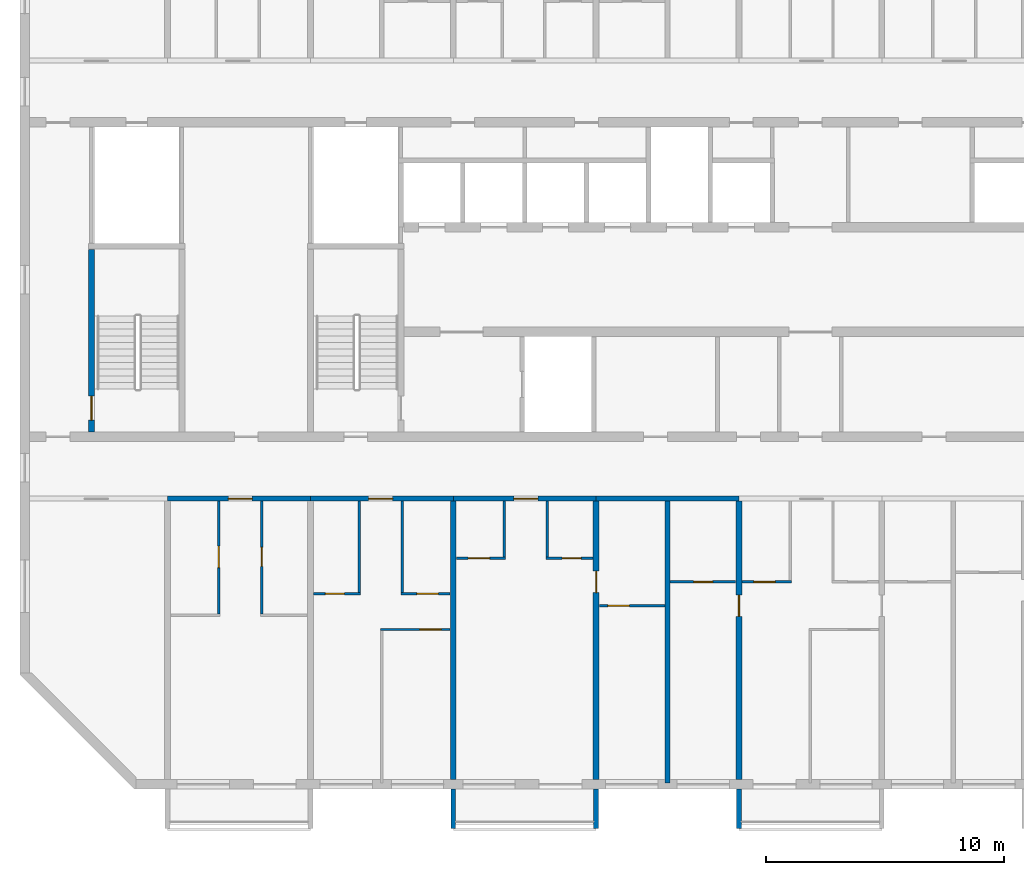
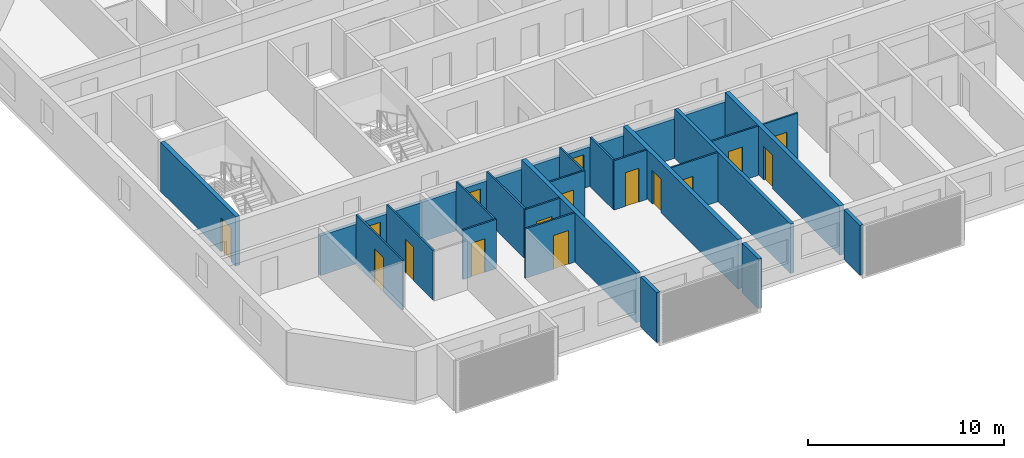
# One storey, part 2 of 26: 26 walls, 16 doors, 16 openings.
"""IFC4 building model written with IfcOpenShell, lengths in metres."""

from ifc_helpers import new_model, si_unit, direction, frame, frame_2d, origin, place, context, subcontext, project, spatial, polyline, rectangle, outline, extrude, source, transform, mapped, material, layer, layer_set, type_object, element, fill, save


model = new_model("IFC4")

# Units and contexts
model_context = context("Model", 3, precision=1e-05, world=origin(), true_north=direction((0.0, 1.0)))
body_context = subcontext(model_context, "Body", "Model", "MODEL_VIEW")
ifc_project = project(units=[si_unit("LENGTHUNIT", "METRE"), si_unit("AREAUNIT", "SQUARE_METRE"), si_unit("VOLUMEUNIT", "CUBIC_METRE"), si_unit("PLANEANGLEUNIT", "RADIAN"), si_unit("MASSUNIT", "GRAM", prefix="KILO")], contexts=[model_context])

# Site, building, storey
site_placement = place(None, origin())
site = spatial("IfcSite", under=ifc_project, at=site_placement, CompositionType="ELEMENT")
building_placement = place(site_placement, origin())
building = spatial("IfcBuilding", under=site, at=building_placement, Name="Poui Terraces", CompositionType="ELEMENT")
storey_placement = place(building_placement, frame((0.0, 0.0, 175.199951171875)))
storey = spatial("IfcBuildingStorey", under=building, at=storey_placement, Name="L48", CompositionType="ELEMENT", Elevation=175.199951171875)

# Wall, opening, door
ifc_material_1 = material(Name="Concrete 50 MPa", Category="concrete")
ifc_layer_1 = layer(ifc_material_1, 0.199951171875)
ifc_layer_set_1 = layer_set([ifc_layer_1], Name="Concrete 50 MPa")
wall_type_1 = type_object("IfcWallType", Name="CORRIDOR WALL 200 50MPa", PredefinedType="SHEAR", material=ifc_layer_set_1)
wall_1_placement = place(storey_placement, frame((24.0, 12.0, 0.0), z_axis=(0.0, 0.0, 1.0), x_axis=(1.0, 0.0, 0.0)))
wall_1 = element("IfcWall", 1, at=wall_1_placement, inside=storey, type_object=wall_type_1, Name="CORRIDOR WALL LINE B BAY 2", PredefinedType="SHEAR", context=body_context, shape_type="SweptSolid", body=[
    extrude(rectangle(XDim=6.0, YDim=0.199951171875, at=frame_2d((3.0, 0.0))), origin(), (0.0, 0.0, 1.0), 2.47998046875),
])
opening_1_placement = place(wall_1_placement, frame((2.550048828125, 0.0, 0.0)))
opening_1 = element("IfcOpeningElement", 2, at=opening_1_placement, cuts=wall_1, Name="Opening FD30S", PredefinedType="OPENING", context=body_context, shape_type="SweptSolid", body=[
    extrude(rectangle(XDim=1.0, YDim=2.10009765625, at=frame_2d((0.5, 1.050048828125))), frame((0.0, 0.10986328125, 0.0), z_axis=(0.0, -1.0, 0.0), x_axis=(1.0, 0.0, 0.0)), (0.0, 0.0, 1.0), 0.219970703125),
])
ifc_material_2 = material(Name="Steel fire door", Category="steel")
door_type_1 = type_object("IfcDoorType", Name="FLAT ENTRANCE DOOR 1000 X 2100", OperationType="NOTDEFINED", PredefinedType="DOOR", material=ifc_material_2)
door_1_placement = place(opening_1_placement, frame((1.0, 0.0, 0.0), z_axis=(0.0, 0.0, 1.0), x_axis=(-1.0, 0.0, 0.0)))
door_1 = element("IfcDoor", 3, at=door_1_placement, inside=storey, type_object=door_type_1, Name="FLAT ENTRANCE DOOR 064", OperationType="SINGLE_SWING_LEFT", OverallHeight=2.10009765625, OverallWidth=1.0, PredefinedType="DOOR", context=body_context, shape_type="SweptSolid", body=[
    extrude(rectangle(XDim=1.0, YDim=2.10009765625, at=frame_2d((0.5, 1.050048828125))), frame((0.0, 0.02490234375, 0.0), z_axis=(0.0, -1.0, 0.0), x_axis=(1.0, 0.0, 0.0)), (0.0, 0.0, 1.0), 0.050048828125),
])
fill(opening_1, door_1)

wall_2_placement = place(storey_placement, frame((30.0, 12.0, 0.0), z_axis=(0.0, 0.0, 1.0), x_axis=(1.0, 0.0, 0.0)))
wall_2 = element("IfcWall", 4, at=wall_2_placement, inside=storey, type_object=wall_type_1, Name="CORRIDOR WALL LINE B BAY 3", PredefinedType="SHEAR", context=body_context, shape_type="SweptSolid", body=[
    extrude(rectangle(XDim=6.0, YDim=0.199951171875, at=frame_2d((3.0, 0.0))), origin(), (0.0, 0.0, 1.0), 2.47998046875),
])
opening_2_placement = place(wall_2_placement, frame((2.449951171875, 0.0, 0.0)))
opening_2 = element("IfcOpeningElement", 5, at=opening_2_placement, cuts=wall_2, Name="Opening FD30S", PredefinedType="OPENING", context=body_context, shape_type="SweptSolid", body=[
    extrude(rectangle(XDim=1.0, YDim=2.10009765625, at=frame_2d((0.5, 1.050048828125))), frame((0.0, 0.10986328125, 0.0), z_axis=(0.0, -1.0, 0.0), x_axis=(1.0, 0.0, 0.0)), (0.0, 0.0, 1.0), 0.219970703125),
])
door_2_placement = place(opening_2_placement, frame((1.0, 0.0, 0.0), z_axis=(0.0, 0.0, 1.0), x_axis=(-1.0, 0.0, 0.0)))
door_2 = element("IfcDoor", 6, at=door_2_placement, inside=storey, type_object=door_type_1, Name="FLAT ENTRANCE DOOR 067", OperationType="SINGLE_SWING_RIGHT", OverallHeight=2.10009765625, OverallWidth=1.0, PredefinedType="DOOR", context=body_context, shape_type="SweptSolid", body=[
    extrude(rectangle(XDim=1.0, YDim=2.10009765625, at=frame_2d((0.5, 1.050048828125))), frame((0.0, 0.02490234375, 0.0), z_axis=(0.0, -1.0, 0.0), x_axis=(1.0, 0.0, 0.0)), (0.0, 0.0, 1.0), 0.050048828125),
])
fill(opening_2, door_2)

wall_3_placement = place(storey_placement, frame((36.0, 12.0, 0.0), z_axis=(0.0, 0.0, 1.0), x_axis=(1.0, 0.0, 0.0)))
wall_3 = element("IfcWall", 7, at=wall_3_placement, inside=storey, type_object=wall_type_1, Name="CORRIDOR WALL LINE B BAY 4", PredefinedType="SHEAR", context=body_context, shape_type="SweptSolid", body=[
    extrude(rectangle(XDim=6.0, YDim=0.199951171875, at=frame_2d((3.0, 0.0))), origin(), (0.0, 0.0, 1.0), 2.47998046875),
])
opening_3_placement = place(wall_3_placement, frame((2.550048828125, 0.0, 0.0)))
opening_3 = element("IfcOpeningElement", 8, at=opening_3_placement, cuts=wall_3, Name="Opening FD30S", PredefinedType="OPENING", context=body_context, shape_type="SweptSolid", body=[
    extrude(rectangle(XDim=1.0, YDim=2.10009765625, at=frame_2d((0.5, 1.050048828125))), frame((0.0, 0.10986328125, 0.0), z_axis=(0.0, -1.0, 0.0), x_axis=(1.0, 0.0, 0.0)), (0.0, 0.0, 1.0), 0.219970703125),
])
door_3_placement = place(opening_3_placement, frame((1.0, 0.0, 0.0), z_axis=(0.0, 0.0, 1.0), x_axis=(-1.0, 0.0, 0.0)))
door_3 = element("IfcDoor", 9, at=door_3_placement, inside=storey, type_object=door_type_1, Name="FLAT ENTRANCE DOOR 072", OperationType="SINGLE_SWING_LEFT", OverallHeight=2.10009765625, OverallWidth=1.0, PredefinedType="DOOR", context=body_context, shape_type="SweptSolid", body=[
    extrude(rectangle(XDim=1.0, YDim=2.10009765625, at=frame_2d((0.5, 1.050048828125))), frame((0.0, 0.02490234375, 0.0), z_axis=(0.0, -1.0, 0.0), x_axis=(1.0, 0.0, 0.0)), (0.0, 0.0, 1.0), 0.050048828125),
])
fill(opening_3, door_3)

# Walls
wall_4_placement = place(storey_placement, frame((42.0, 12.0, 0.0), z_axis=(0.0, 0.0, 1.0), x_axis=(1.0, 0.0, 0.0)))
element("IfcWall", 10, at=wall_4_placement, inside=storey, type_object=wall_type_1, Name="CORRIDOR WALL LINE B BAY 5", PredefinedType="SHEAR", context=body_context, shape_type="SweptSolid", body=[
    extrude(rectangle(XDim=6.0, YDim=0.199951171875, at=frame_2d((3.0, 0.0))), origin(), (0.0, 0.0, 1.0), 2.47998046875),
])
ifc_layer_2 = layer(ifc_material_1, 0.25)
ifc_layer_set_2 = layer_set([ifc_layer_2], Name="Concrete 50 MPa")
wall_type_2 = type_object("IfcWallType", Name="CROSS WALL 250 50MPa", PredefinedType="SHEAR", material=ifc_layer_set_2)
wall_5_placement = place(storey_placement, frame((36.0, 0.199951171875, 0.0), z_axis=(0.0, 0.0, 1.0), x_axis=(0.0, 1.0, 0.0)))
element("IfcWall", 11, at=wall_5_placement, inside=storey, type_object=wall_type_2, Name="CROSS WALL LINE 7 SOUTH", PredefinedType="SHEAR", context=body_context, shape_type="SweptSolid", body=[
    extrude(rectangle(XDim=11.699951171875, YDim=0.25, at=frame_2d((5.85009765625, 0.0))), origin(), (0.0, 0.0, 1.0), 3.080078125),
])

# Wall, opening, door
wall_6_placement = place(storey_placement, frame((42.0, 0.199951171875, 0.0), z_axis=(0.0, 0.0, 1.0), x_axis=(0.0, 1.0, 0.0)))
wall_6 = element("IfcWall", 12, at=wall_6_placement, inside=storey, type_object=wall_type_2, Name="CROSS WALL LINE 8 SOUTH", PredefinedType="SHEAR", context=body_context, shape_type="SweptSolid", body=[
    extrude(rectangle(XDim=11.699951171875, YDim=0.25, at=frame_2d((5.85009765625, 0.0))), origin(), (0.0, 0.0, 1.0), 3.080078125),
])
opening_4_placement = place(wall_6_placement, frame((7.85009765625, 0.0, 0.0)))
opening_4 = element("IfcOpeningElement", 13, at=opening_4_placement, cuts=wall_6, Name="Opening D90", PredefinedType="OPENING", context=body_context, shape_type="SweptSolid", body=[
    extrude(rectangle(XDim=0.89990234375, YDim=2.10009765625, at=frame_2d((0.449951171875, 1.050048828125))), frame((0.0, 0.135009765625, 0.0), z_axis=(0.0, -1.0, 0.0), x_axis=(1.0, 0.0, 0.0)), (0.0, 0.0, 1.0), 0.27001953125),
])
ifc_material_3 = material(Name="Solid core timber door", Category="wood")
door_type_2 = type_object("IfcDoorType", Name="INTERNAL DOOR 900 X 2100", OperationType="NOTDEFINED", PredefinedType="DOOR", material=ifc_material_3)
door_4_placement = place(opening_4_placement, origin())
door_4 = element("IfcDoor", 14, at=door_4_placement, inside=storey, type_object=door_type_2, Name="INTERNAL DOOR 074", OperationType="SINGLE_SWING_RIGHT", OverallHeight=2.10009765625, OverallWidth=0.89990234375, PredefinedType="DOOR", context=body_context, shape_type="SweptSolid", body=[
    extrude(rectangle(XDim=0.89990234375, YDim=2.10009765625, at=frame_2d((0.449951171875, 1.050048828125))), frame((0.0, 0.02490234375, 0.0), z_axis=(0.0, -1.0, 0.0), x_axis=(1.0, 0.0, 0.0)), (0.0, 0.0, 1.0), 0.050048828125),
])
fill(opening_4, door_4)

wall_7_placement = place(storey_placement, frame((48.0, 0.199951171875, 0.0), z_axis=(0.0, 0.0, 1.0), x_axis=(0.0, 1.0, 0.0)))
wall_7 = element("IfcWall", 15, at=wall_7_placement, inside=storey, type_object=wall_type_2, Name="CROSS WALL LINE 9 SOUTH", PredefinedType="SHEAR", context=body_context, shape_type="SweptSolid", body=[
    extrude(rectangle(XDim=11.699951171875, YDim=0.25, at=frame_2d((5.85009765625, 0.0))), origin(), (0.0, 0.0, 1.0), 3.080078125),
])
opening_5_placement = place(wall_7_placement, frame((6.85009765625, 0.0, 0.0)))
opening_5 = element("IfcOpeningElement", 16, at=opening_5_placement, cuts=wall_7, Name="Opening D90", PredefinedType="OPENING", context=body_context, shape_type="SweptSolid", body=[
    extrude(rectangle(XDim=0.89990234375, YDim=2.10009765625, at=frame_2d((0.449951171875, 1.050048828125))), frame((0.0, 0.135009765625, 0.0), z_axis=(0.0, -1.0, 0.0), x_axis=(1.0, 0.0, 0.0)), (0.0, 0.0, 1.0), 0.27001953125),
])
door_5_placement = place(opening_5_placement, origin())
door_5 = element("IfcDoor", 17, at=door_5_placement, inside=storey, type_object=door_type_2, Name="INTERNAL DOOR 077", OperationType="SINGLE_SWING_RIGHT", OverallHeight=2.10009765625, OverallWidth=0.89990234375, PredefinedType="DOOR", context=body_context, shape_type="SweptSolid", body=[
    extrude(rectangle(XDim=0.89990234375, YDim=2.10009765625, at=frame_2d((0.449951171875, 1.050048828125))), frame((0.0, 0.02490234375, 0.0), z_axis=(0.0, -1.0, 0.0), x_axis=(1.0, 0.0, 0.0)), (0.0, 0.0, 1.0), 0.050048828125),
])
fill(opening_5, door_5)

ifc_material_4 = material(Name="Plasterboard partition")
ifc_layer_3 = layer(ifc_material_4, 0.10009765625)
ifc_layer_set_3 = layer_set([ifc_layer_3], Name="Plasterboard partition")
wall_type_3 = type_object("IfcWallType", Name="FLAT PARTITION 100", PredefinedType="PARTITIONING", material=ifc_layer_set_3)
wall_8_placement = place(storey_placement, frame((32.949951171875, 6.5, 0.0), z_axis=(0.0, 0.0, 1.0), x_axis=(1.0, 0.0, 0.0)))
wall_8 = element("IfcWall", 18, at=wall_8_placement, inside=storey, type_object=wall_type_3, Name="FLAT PARTITION 100", PredefinedType="PARTITIONING", context=body_context, shape_type="SweptSolid", body=[
    extrude(rectangle(XDim=2.9150390625, YDim=0.10009765625, at=frame_2d((1.45751953125, 0.0))), origin(), (0.0, 0.0, 1.0), 3.080078125),
])
opening_6_placement = place(wall_8_placement, frame((1.64990234375, 0.0, 0.0)))
opening_6 = element("IfcOpeningElement", 19, at=opening_6_placement, cuts=wall_8, Name="Opening D90", PredefinedType="OPENING", context=body_context, shape_type="SweptSolid", body=[
    extrude(rectangle(XDim=0.89990234375, YDim=2.10009765625, at=frame_2d((0.449951171875, 1.050048828125))), frame((0.0, 0.06005859375, 0.0), z_axis=(0.0, -1.0, 0.0), x_axis=(1.0, 0.0, 0.0)), (0.0, 0.0, 1.0), 0.1201171875),
])
door_6_placement = place(opening_6_placement, origin())
door_6 = element("IfcDoor", 20, at=door_6_placement, inside=storey, type_object=door_type_2, Name="INTERNAL DOOR 069", OperationType="SINGLE_SWING_LEFT", OverallHeight=2.10009765625, OverallWidth=0.89990234375, PredefinedType="DOOR", context=body_context, shape_type="SweptSolid", body=[
    extrude(rectangle(XDim=0.89990234375, YDim=2.10009765625, at=frame_2d((0.449951171875, 1.050048828125))), frame((0.0, 0.02490234375, 0.0), z_axis=(0.0, -1.0, 0.0), x_axis=(1.0, 0.0, 0.0)), (0.0, 0.0, 1.0), 0.050048828125),
])
fill(opening_6, door_6)

wall_9_placement = place(storey_placement, frame((42.135009765625, 7.5, 0.0), z_axis=(0.0, 0.0, 1.0), x_axis=(1.0, 0.0, 0.0)))
wall_9 = element("IfcWall", 21, at=wall_9_placement, inside=storey, type_object=wall_type_3, Name="FLAT PARTITION 100", PredefinedType="PARTITIONING", context=body_context, shape_type="SweptSolid", body=[
    extrude(rectangle(XDim=2.764892578125, YDim=0.10009765625, at=frame_2d((1.38232421875, 0.0))), origin(), (0.0, 0.0, 1.0), 3.080078125),
])
opening_7_placement = place(wall_9_placement, frame((0.364990234375, 0.0, 0.0)))
opening_7 = element("IfcOpeningElement", 22, at=opening_7_placement, cuts=wall_9, Name="Opening D90", PredefinedType="OPENING", context=body_context, shape_type="SweptSolid", body=[
    extrude(rectangle(XDim=0.89990234375, YDim=2.10009765625, at=frame_2d((0.449951171875, 1.050048828125))), frame((0.0, 0.06005859375, 0.0), z_axis=(0.0, -1.0, 0.0), x_axis=(1.0, 0.0, 0.0)), (0.0, 0.0, 1.0), 0.1201171875),
])
door_7_placement = place(opening_7_placement, frame((0.89990234375, 0.0, 0.0), z_axis=(0.0, 0.0, 1.0), x_axis=(-1.0, 0.0, 0.0)))
door_7 = element("IfcDoor", 23, at=door_7_placement, inside=storey, type_object=door_type_2, Name="INTERNAL DOOR 070", OperationType="SINGLE_SWING_RIGHT", OverallHeight=2.10009765625, OverallWidth=0.89990234375, PredefinedType="DOOR", context=body_context, shape_type="SweptSolid", body=[
    extrude(rectangle(XDim=0.89990234375, YDim=2.10009765625, at=frame_2d((0.449951171875, 1.050048828125))), frame((0.0, 0.02490234375, 0.0), z_axis=(0.0, -1.0, 0.0), x_axis=(1.0, 0.0, 0.0)), (0.0, 0.0, 1.0), 0.050048828125),
])
fill(opening_7, door_7)

wall_10_placement = place(storey_placement, frame((30.135009765625, 8.0, 0.0), z_axis=(0.0, 0.0, 1.0), x_axis=(1.0, 0.0, 0.0)))
wall_10 = element("IfcWall", 24, at=wall_10_placement, inside=storey, type_object=wall_type_3, Name="FLAT PARTITION 100", PredefinedType="PARTITIONING", context=body_context, shape_type="SweptSolid", body=[
    extrude(rectangle(XDim=1.965087890625, YDim=0.10009765625, at=frame_2d((0.982421875, 0.0))), origin(), (0.0, 0.0, 1.0), 3.080078125),
])
opening_8_placement = place(wall_10_placement, frame((0.489990234375, 0.0, 0.0)))
opening_8 = element("IfcOpeningElement", 25, at=opening_8_placement, cuts=wall_10, Name="Opening D80", PredefinedType="OPENING", context=body_context, shape_type="SweptSolid", body=[
    extrude(rectangle(XDim=0.800048828125, YDim=2.10009765625, at=frame_2d((0.39990234375, 1.050048828125))), frame((0.0, 0.06005859375, 0.0), z_axis=(0.0, -1.0, 0.0), x_axis=(1.0, 0.0, 0.0)), (0.0, 0.0, 1.0), 0.1201171875),
])
door_type_3 = type_object("IfcDoorType", Name="BATHROOM, LAUNDRY AND STORE DOOR 800 X 2100", OperationType="NOTDEFINED", PredefinedType="DOOR", material=ifc_material_3)
door_8_placement = place(opening_8_placement, origin())
door_8 = element("IfcDoor", 26, at=door_8_placement, inside=storey, type_object=door_type_3, Name="BATHROOM, LAUNDRY AND STORE DOOR 066", OperationType="SINGLE_SWING_LEFT", OverallHeight=2.10009765625, OverallWidth=0.800048828125, PredefinedType="DOOR", context=body_context, shape_type="SweptSolid", body=[
    extrude(rectangle(XDim=0.800048828125, YDim=2.10009765625, at=frame_2d((0.39990234375, 1.050048828125))), frame((0.0, 0.02490234375, 0.0), z_axis=(0.0, -1.0, 0.0), x_axis=(1.0, 0.0, 0.0)), (0.0, 0.0, 1.0), 0.050048828125),
])
fill(opening_8, door_8)

wall_11_placement = place(storey_placement, frame((33.800048828125, 8.0, 0.0), z_axis=(0.0, 0.0, 1.0), x_axis=(1.0, 0.0, 0.0)))
wall_11 = element("IfcWall", 27, at=wall_11_placement, inside=storey, type_object=wall_type_3, Name="FLAT PARTITION 100", PredefinedType="PARTITIONING", context=body_context, shape_type="SweptSolid", body=[
    extrude(rectangle(XDim=2.06494140625, YDim=0.10009765625, at=frame_2d((1.032470703125, 0.0))), origin(), (0.0, 0.0, 1.0), 3.080078125),
])
opening_9_placement = place(wall_11_placement, frame((0.675048828125, 0.0, 0.0)))
opening_9 = element("IfcOpeningElement", 28, at=opening_9_placement, cuts=wall_11, Name="Opening D90", PredefinedType="OPENING", context=body_context, shape_type="SweptSolid", body=[
    extrude(rectangle(XDim=0.89990234375, YDim=2.10009765625, at=frame_2d((0.449951171875, 1.050048828125))), frame((0.0, 0.06005859375, 0.0), z_axis=(0.0, -1.0, 0.0), x_axis=(1.0, 0.0, 0.0)), (0.0, 0.0, 1.0), 0.1201171875),
])
door_9_placement = place(opening_9_placement, origin())
door_9 = element("IfcDoor", 29, at=door_9_placement, inside=storey, type_object=door_type_2, Name="INTERNAL DOOR 068", OperationType="SINGLE_SWING_RIGHT", OverallHeight=2.10009765625, OverallWidth=0.89990234375, PredefinedType="DOOR", context=body_context, shape_type="SweptSolid", body=[
    extrude(rectangle(XDim=0.89990234375, YDim=2.10009765625, at=frame_2d((0.449951171875, 1.050048828125))), frame((0.0, 0.02490234375, 0.0), z_axis=(0.0, -1.0, 0.0), x_axis=(1.0, 0.0, 0.0)), (0.0, 0.0, 1.0), 0.050048828125),
])
fill(opening_9, door_9)

wall_12_placement = place(storey_placement, frame((45.10009765625, 8.5, 0.0), z_axis=(0.0, 0.0, 1.0), x_axis=(1.0, 0.0, 0.0)))
wall_12 = element("IfcWall", 30, at=wall_12_placement, inside=storey, type_object=wall_type_3, Name="FLAT PARTITION 100", PredefinedType="PARTITIONING", context=body_context, shape_type="SweptSolid", body=[
    extrude(rectangle(XDim=2.764892578125, YDim=0.10009765625, at=frame_2d((1.38232421875, 0.0))), origin(), (0.0, 0.0, 1.0), 3.080078125),
])
opening_10_placement = place(wall_12_placement, frame((1.0, 0.0, 0.0)))
opening_10 = element("IfcOpeningElement", 31, at=opening_10_placement, cuts=wall_12, Name="Opening D80", PredefinedType="OPENING", context=body_context, shape_type="SweptSolid", body=[
    extrude(rectangle(XDim=0.800048828125, YDim=2.10009765625, at=frame_2d((0.39990234375, 1.050048828125))), frame((0.0, 0.06005859375, 0.0), z_axis=(0.0, -1.0, 0.0), x_axis=(1.0, 0.0, 0.0)), (0.0, 0.0, 1.0), 0.1201171875),
])
door_10_placement = place(opening_10_placement, origin())
door_10 = element("IfcDoor", 32, at=door_10_placement, inside=storey, type_object=door_type_3, Name="BATHROOM, LAUNDRY AND STORE DOOR 075", OperationType="SINGLE_SWING_LEFT", OverallHeight=2.10009765625, OverallWidth=0.800048828125, PredefinedType="DOOR", context=body_context, shape_type="SweptSolid", body=[
    extrude(rectangle(XDim=0.800048828125, YDim=2.10009765625, at=frame_2d((0.39990234375, 1.050048828125))), frame((0.0, 0.02490234375, 0.0), z_axis=(0.0, -1.0, 0.0), x_axis=(1.0, 0.0, 0.0)), (0.0, 0.0, 1.0), 0.050048828125),
])
fill(opening_10, door_10)

wall_13_placement = place(storey_placement, frame((48.135009765625, 8.5, 0.0), z_axis=(0.0, 0.0, 1.0), x_axis=(1.0, 0.0, 0.0)))
wall_13 = element("IfcWall", 33, at=wall_13_placement, inside=storey, type_object=wall_type_3, Name="FLAT PARTITION 100", PredefinedType="PARTITIONING", context=body_context, shape_type="SweptSolid", body=[
    extrude(rectangle(XDim=2.06494140625, YDim=0.10009765625, at=frame_2d((1.032470703125, 0.0))), origin(), (0.0, 0.0, 1.0), 3.080078125),
])
opening_11_placement = place(wall_13_placement, frame((0.489990234375, 0.0, 0.0)))
opening_11 = element("IfcOpeningElement", 34, at=opening_11_placement, cuts=wall_13, Name="Opening D90", PredefinedType="OPENING", context=body_context, shape_type="SweptSolid", body=[
    extrude(rectangle(XDim=0.89990234375, YDim=2.10009765625, at=frame_2d((0.449951171875, 1.050048828125))), frame((0.0, 0.06005859375, 0.0), z_axis=(0.0, -1.0, 0.0), x_axis=(1.0, 0.0, 0.0)), (0.0, 0.0, 1.0), 0.1201171875),
])
door_11_placement = place(opening_11_placement, origin())
door_11 = element("IfcDoor", 35, at=door_11_placement, inside=storey, type_object=door_type_2, Name="INTERNAL DOOR 078", OperationType="SINGLE_SWING_LEFT", OverallHeight=2.10009765625, OverallWidth=0.89990234375, PredefinedType="DOOR", context=body_context, shape_type="SweptSolid", body=[
    extrude(rectangle(XDim=0.89990234375, YDim=2.10009765625, at=frame_2d((0.449951171875, 1.050048828125))), frame((0.0, 0.02490234375, 0.0), z_axis=(0.0, -1.0, 0.0), x_axis=(1.0, 0.0, 0.0)), (0.0, 0.0, 1.0), 0.050048828125),
])
fill(opening_11, door_11)

wall_14_placement = place(storey_placement, frame((36.135009765625, 9.5, 0.0), z_axis=(0.0, 0.0, 1.0), x_axis=(1.0, 0.0, 0.0)))
wall_14 = element("IfcWall", 36, at=wall_14_placement, inside=storey, type_object=wall_type_3, Name="FLAT PARTITION 100", PredefinedType="PARTITIONING", context=body_context, shape_type="SweptSolid", body=[
    extrude(rectangle(XDim=2.06494140625, YDim=0.10009765625, at=frame_2d((1.032470703125, 0.0))), origin(), (0.0, 0.0, 1.0), 3.080078125),
])
opening_12_placement = place(wall_14_placement, frame((0.489990234375, 0.0, 0.0)))
opening_12 = element("IfcOpeningElement", 37, at=opening_12_placement, cuts=wall_14, Name="Opening D90", PredefinedType="OPENING", context=body_context, shape_type="SweptSolid", body=[
    extrude(rectangle(XDim=0.89990234375, YDim=2.10009765625, at=frame_2d((0.449951171875, 1.050048828125))), frame((0.0, 0.06005859375, 0.0), z_axis=(0.0, -1.0, 0.0), x_axis=(1.0, 0.0, 0.0)), (0.0, 0.0, 1.0), 0.1201171875),
])
door_12_placement = place(opening_12_placement, origin())
door_12 = element("IfcDoor", 38, at=door_12_placement, inside=storey, type_object=door_type_2, Name="INTERNAL DOOR 071", OperationType="SINGLE_SWING_LEFT", OverallHeight=2.10009765625, OverallWidth=0.89990234375, PredefinedType="DOOR", context=body_context, shape_type="SweptSolid", body=[
    extrude(rectangle(XDim=0.89990234375, YDim=2.10009765625, at=frame_2d((0.449951171875, 1.050048828125))), frame((0.0, 0.02490234375, 0.0), z_axis=(0.0, -1.0, 0.0), x_axis=(1.0, 0.0, 0.0)), (0.0, 0.0, 1.0), 0.050048828125),
])
fill(opening_12, door_12)

wall_15_placement = place(storey_placement, frame((39.89990234375, 9.5, 0.0), z_axis=(0.0, 0.0, 1.0), x_axis=(1.0, 0.0, 0.0)))
wall_15 = element("IfcWall", 39, at=wall_15_placement, inside=storey, type_object=wall_type_3, Name="FLAT PARTITION 100", PredefinedType="PARTITIONING", context=body_context, shape_type="SweptSolid", body=[
    extrude(rectangle(XDim=1.965087890625, YDim=0.10009765625, at=frame_2d((0.982421875, 0.0))), origin(), (0.0, 0.0, 1.0), 3.080078125),
])
opening_13_placement = place(wall_15_placement, frame((0.675048828125, 0.0, 0.0)))
opening_13 = element("IfcOpeningElement", 40, at=opening_13_placement, cuts=wall_15, Name="Opening D80", PredefinedType="OPENING", context=body_context, shape_type="SweptSolid", body=[
    extrude(rectangle(XDim=0.800048828125, YDim=2.10009765625, at=frame_2d((0.39990234375, 1.050048828125))), frame((0.0, 0.06005859375, 0.0), z_axis=(0.0, -1.0, 0.0), x_axis=(1.0, 0.0, 0.0)), (0.0, 0.0, 1.0), 0.1201171875),
])
door_13_placement = place(opening_13_placement, origin())
door_13 = element("IfcDoor", 41, at=door_13_placement, inside=storey, type_object=door_type_3, Name="BATHROOM, LAUNDRY AND STORE DOOR 073", OperationType="SINGLE_SWING_RIGHT", OverallHeight=2.10009765625, OverallWidth=0.800048828125, PredefinedType="DOOR", context=body_context, shape_type="SweptSolid", body=[
    extrude(rectangle(XDim=0.800048828125, YDim=2.10009765625, at=frame_2d((0.39990234375, 1.050048828125))), frame((0.0, 0.02490234375, 0.0), z_axis=(0.0, -1.0, 0.0), x_axis=(1.0, 0.0, 0.0)), (0.0, 0.0, 1.0), 0.050048828125),
])
fill(opening_13, door_13)

wall_16_placement = place(storey_placement, frame((26.14990234375, 7.14990234375, 0.0), z_axis=(0.0, 0.0, 1.0), x_axis=(0.0, 1.0, 0.0)))
wall_16 = element("IfcWall", 42, at=wall_16_placement, inside=storey, type_object=wall_type_3, Name="FLAT PARTITION 100", PredefinedType="PARTITIONING", context=body_context, shape_type="SweptSolid", body=[
    extrude(rectangle(XDim=4.739990234375, YDim=0.10009765625, at=frame_2d((2.3701171875, 0.0))), origin(), (0.0, 0.0, 1.0), 3.080078125),
])
opening_14_placement = place(wall_16_placement, frame((1.949951171875, 0.0, 0.0)))
opening_14 = element("IfcOpeningElement", 43, at=opening_14_placement, cuts=wall_16, Name="Opening D90", PredefinedType="OPENING", context=body_context, shape_type="SweptSolid", body=[
    extrude(rectangle(XDim=0.89990234375, YDim=2.10009765625, at=frame_2d((0.449951171875, 1.050048828125))), frame((0.0, 0.06005859375, 0.0), z_axis=(0.0, -1.0, 0.0), x_axis=(1.0, 0.0, 0.0)), (0.0, 0.0, 1.0), 0.1201171875),
])
door_14_placement = place(opening_14_placement, origin())
door_14 = element("IfcDoor", 44, at=door_14_placement, inside=storey, type_object=door_type_2, Name="INTERNAL DOOR 063", OperationType="SINGLE_SWING_LEFT", OverallHeight=2.10009765625, OverallWidth=0.89990234375, PredefinedType="DOOR", context=body_context, shape_type="SweptSolid", body=[
    extrude(rectangle(XDim=0.89990234375, YDim=2.10009765625, at=frame_2d((0.449951171875, 1.050048828125))), frame((0.0, 0.02490234375, 0.0), z_axis=(0.0, -1.0, 0.0), x_axis=(1.0, 0.0, 0.0)), (0.0, 0.0, 1.0), 0.050048828125),
])
fill(opening_14, door_14)

wall_17_placement = place(storey_placement, frame((27.949951171875, 7.14990234375, 0.0), z_axis=(0.0, 0.0, 1.0), x_axis=(0.0, 1.0, 0.0)))
wall_17 = element("IfcWall", 45, at=wall_17_placement, inside=storey, type_object=wall_type_3, Name="FLAT PARTITION 100", PredefinedType="PARTITIONING", context=body_context, shape_type="SweptSolid", body=[
    extrude(rectangle(XDim=4.739990234375, YDim=0.10009765625, at=frame_2d((2.3701171875, 0.0))), origin(), (0.0, 0.0, 1.0), 3.080078125),
])
opening_15_placement = place(wall_17_placement, frame((2.0, 0.0, 0.0)))
opening_15 = element("IfcOpeningElement", 46, at=opening_15_placement, cuts=wall_17, Name="Opening D80", PredefinedType="OPENING", context=body_context, shape_type="SweptSolid", body=[
    extrude(rectangle(XDim=0.800048828125, YDim=2.10009765625, at=frame_2d((0.39990234375, 1.050048828125))), frame((0.0, 0.06005859375, 0.0), z_axis=(0.0, -1.0, 0.0), x_axis=(1.0, 0.0, 0.0)), (0.0, 0.0, 1.0), 0.1201171875),
])
door_15_placement = place(opening_15_placement, frame((0.800048828125, 0.0, 0.0), z_axis=(0.0, 0.0, 1.0), x_axis=(-1.0, 0.0, 0.0)))
door_15 = element("IfcDoor", 47, at=door_15_placement, inside=storey, type_object=door_type_3, Name="BATHROOM, LAUNDRY AND STORE DOOR 065", OperationType="SINGLE_SWING_LEFT", OverallHeight=2.10009765625, OverallWidth=0.800048828125, PredefinedType="DOOR", context=body_context, shape_type="SweptSolid", body=[
    extrude(rectangle(XDim=0.800048828125, YDim=2.10009765625, at=frame_2d((0.39990234375, 1.050048828125))), frame((0.0, 0.02490234375, 0.0), z_axis=(0.0, -1.0, 0.0), x_axis=(1.0, 0.0, 0.0)), (0.0, 0.0, 1.0), 0.050048828125),
])
fill(opening_15, door_15)

# Walls
for number, where, z_axis, x_axis, name in (
    (48, (32.050048828125, 8.050048828125, 0.0), (0.0, 0.0, 1.0), (0.0, 1.0, 0.0), "FLAT PARTITION 100"),
    (49, (33.85009765625, 8.050048828125, 0.0), (0.0, 0.0, 1.0), (0.0, 1.0, 0.0), "FLAT PARTITION 100"),
):
    element("IfcWall", number, at=place(storey_placement, frame(where, z_axis=z_axis, x_axis=x_axis)), inside=storey, type_object=wall_type_3, Name=name, PredefinedType="PARTITIONING", context=body_context, shape_type="SweptSolid", body=[
        extrude(rectangle(XDim=3.83984375, YDim=0.10009765625, at=frame_2d((1.919921875, 0.0))), origin(), (0.0, 0.0, 1.0), 3.080078125),
    ])
for number, where, z_axis, x_axis, name in (
    (50, (38.14990234375, 9.550048828125, 0.0), (0.0, 0.0, 1.0), (0.0, 1.0, 0.0), "FLAT PARTITION 100"),
    (51, (39.949951171875, 9.550048828125, 0.0), (0.0, 0.0, 1.0), (0.0, 1.0, 0.0), "FLAT PARTITION 100"),
):
    element("IfcWall", number, at=place(storey_placement, frame(where, z_axis=z_axis, x_axis=x_axis)), inside=storey, type_object=wall_type_3, Name=name, PredefinedType="PARTITIONING", context=body_context, shape_type="SweptSolid", body=[
        extrude(rectangle(XDim=2.33984375, YDim=0.10009765625, at=frame_2d((1.169921875, 0.0))), origin(), (0.0, 0.0, 1.0), 3.080078125),
    ])
ifc_material_5 = material(Name="Fire-rated masonry wall", Category="masonry")
ifc_layer_4 = layer(ifc_material_5, 0.199951171875)
ifc_layer_set_4 = layer_set([ifc_layer_4], Name="Fire-rated masonry wall")
wall_type_4 = type_object("IfcWallType", Name="FLAT PARTY WALL 200", PredefinedType="PARTITIONING", material=ifc_layer_set_4)
wall_18_placement = place(storey_placement, frame((45.0, 0.06005859375, 0.0), z_axis=(0.0, 0.0, 1.0), x_axis=(0.0, 1.0, 0.0)))
element("IfcWall", 52, at=wall_18_placement, inside=storey, type_object=wall_type_4, Name="FLAT PARTY WALL 200", PredefinedType="PARTITIONING", context=body_context, shape_type="SweptSolid", body=[
    extrude(rectangle(XDim=11.829833984375, YDim=0.199951171875, at=frame_2d((5.9150390625, 0.0))), origin(), (0.0, 0.0, 1.0), 3.080078125),
])

# Wall, opening, door
ifc_layer_5 = layer(ifc_material_1, 0.25)
ifc_layer_set_5 = layer_set([ifc_layer_5], Name="Concrete 50 MPa")
wall_type_5 = type_object("IfcWallType", Name="STAIR CORE WALL 250 50 MPA", PredefinedType="SOLIDWALL", material=ifc_layer_set_5)
wall_19_placement = place(storey_placement, frame((20.800048828125, 14.800048828125, 0.0), z_axis=(0.0, 0.0, 1.0), x_axis=(0.0, 1.0, 0.0)))
wall_19 = element("IfcWall", 53, at=wall_19_placement, inside=storey, type_object=wall_type_5, Name="STAIR CORE WALL", PredefinedType="SOLIDWALL", context=body_context, shape_type="SweptSolid", body=[
    extrude(rectangle(XDim=7.675048828125, YDim=0.25, at=frame_2d((3.83740234375, 0.0))), origin(), (0.0, 0.0, 1.0), 3.080078125),
])
opening_16_placement = place(wall_19_placement, frame((0.5, 0.0, 0.0)))
opening_16 = element("IfcOpeningElement", 54, at=opening_16_placement, cuts=wall_19, Name="Opening FD60S", PredefinedType="OPENING", context=body_context, shape_type="SweptSolid", body=[
    extrude(rectangle(XDim=1.0, YDim=2.10009765625, at=frame_2d((0.5, 1.050048828125))), frame((0.0, 0.135009765625, 0.0), z_axis=(0.0, -1.0, 0.0), x_axis=(1.0, 0.0, 0.0)), (0.0, 0.0, 1.0), 0.27001953125),
])
door_type_4 = type_object("IfcDoorType", Name="STAIR DOOR 1000 X 2100", OperationType="NOTDEFINED", PredefinedType="DOOR", material=ifc_material_2)
door_16_placement = place(opening_16_placement, frame((1.0, 0.0, 0.0), z_axis=(0.0, 0.0, 1.0), x_axis=(-1.0, 0.0, 0.0)))
door_16 = element("IfcDoor", 55, at=door_16_placement, inside=storey, type_object=door_type_4, Name="STAIR DOOR 111", OperationType="SINGLE_SWING_RIGHT", OverallHeight=2.10009765625, OverallWidth=1.0, PredefinedType="DOOR", context=body_context, shape_type="SweptSolid", body=[
    extrude(rectangle(XDim=1.0, YDim=2.10009765625, at=frame_2d((0.5, 1.050048828125))), frame((0.0, 0.02490234375, 0.0), z_axis=(0.0, -1.0, 0.0), x_axis=(1.0, 0.0, 0.0)), (0.0, 0.0, 1.0), 0.050048828125),
])
fill(opening_16, door_16)

# Walls
ifc_material_6 = material(Name="Precast concrete 40 MPa", Category="concrete")
ifc_layer_6 = layer(ifc_material_6, 0.199951171875)
ifc_layer_set_6 = layer_set([ifc_layer_6], Name="Precast concrete 40 MPa")
wall_type_6 = type_object("IfcWallType", Name="REAR FIN 200", PredefinedType="STANDARD", material=ifc_layer_set_6)
shared_shape = source(origin(), body_context, "Body", "SweptSolid", [
    extrude(outline(polyline([(0.0, 0.0), (0.2001953125, 0.0), (0.2001953125, 1.650146484375), (0.0, 1.650146484375), (0.0, 0.0)])), origin(), (0.0, 0.0, 1.0), 3.10009765625),
])
for number, where, name in (
    (56, (35.89990234375, -1.85009765625, 0.0), "REAR FIN"),
    (57, (41.89990234375, -1.85009765625, 0.0), "REAR FIN"),
    (58, (47.89990234375, -1.85009765625, 0.0), "REAR FIN"),
):
    element("IfcWall", number, at=place(storey_placement, frame(where)), inside=storey, type_object=wall_type_6, Name=name, PredefinedType="STANDARD", context=body_context, shape_type="MappedRepresentation", body=[
        mapped(shared_shape, transform((0.0, 0.0, 0.0))),
    ])

save(model, "model.ifc")
